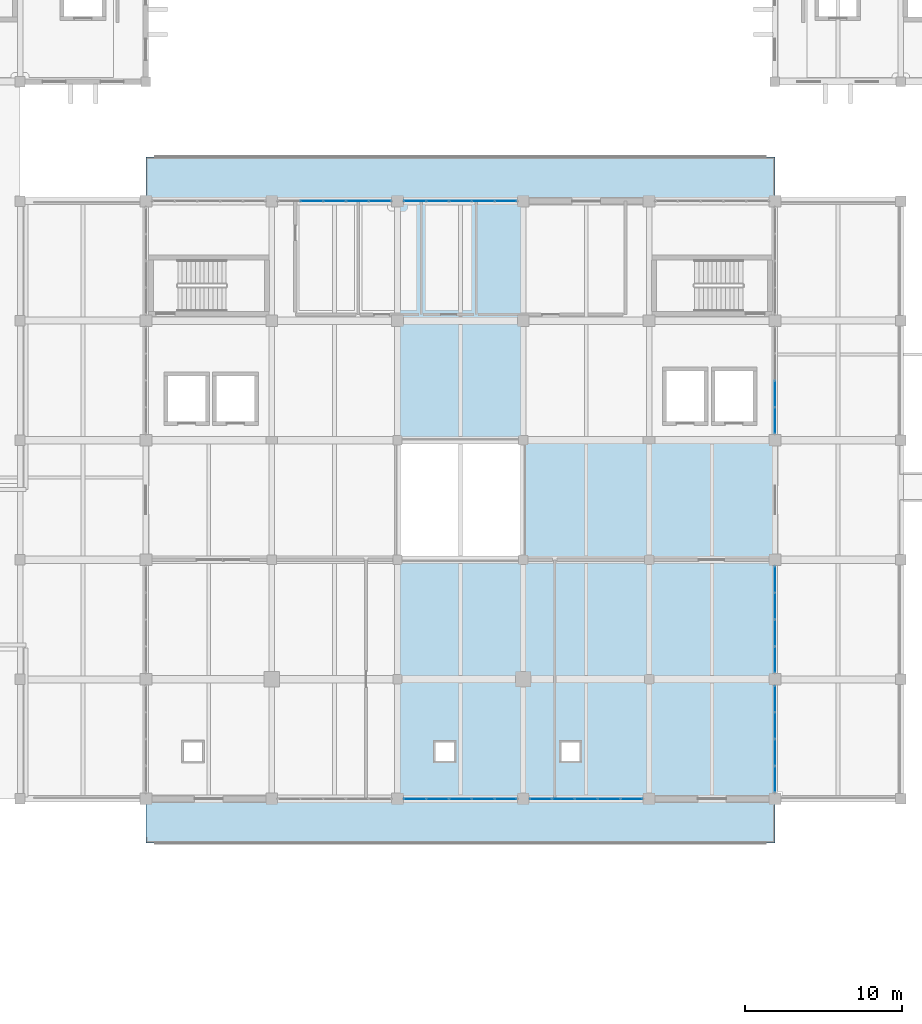
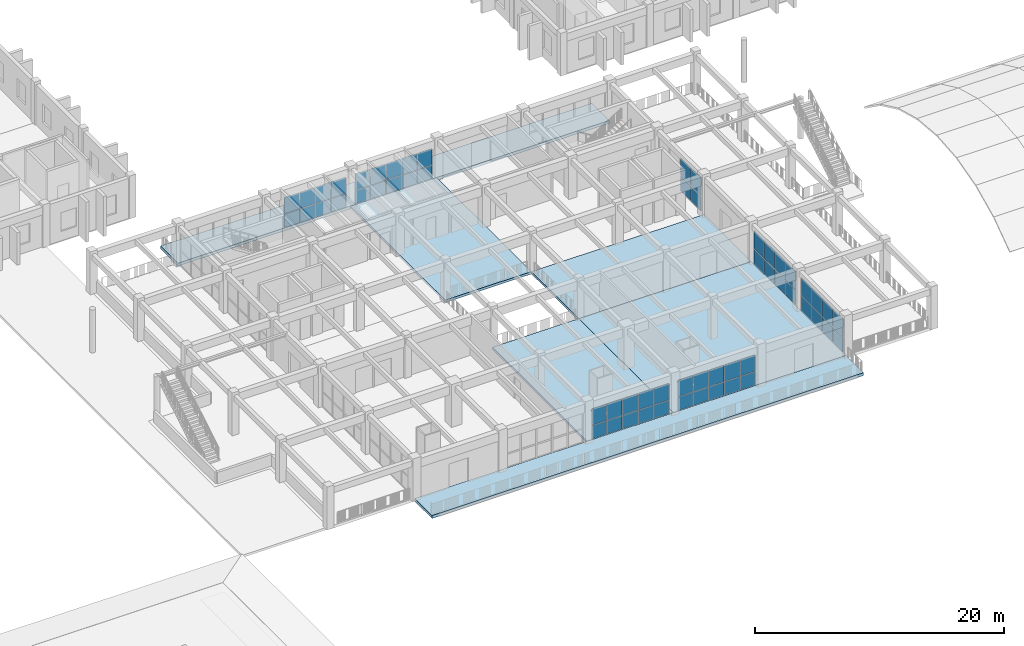
# One storey, part 33 of 63: 58 plates, 6 slabs, 7 elements without a shape of their own.
"""IFC4 building model written with IfcOpenShell, lengths in metres."""

from ifc_helpers import new_model, si_unit, direction, frame, origin, origin_2d, place, context, subcontext, project, spatial, polyline, rectangle, outline, extrude, material, layer, layer_set, type_object, element, aggregate, save


model = new_model("IFC4")

# Units and contexts
model_context = context("Model", 3, precision=1e-05, world=origin(), true_north=direction((0.0, 1.0)))
body_context = subcontext(model_context, "Body", "Model", "MODEL_VIEW")
ifc_project = project(units=[si_unit("LENGTHUNIT", "METRE"), si_unit("AREAUNIT", "SQUARE_METRE"), si_unit("VOLUMEUNIT", "CUBIC_METRE"), si_unit("PLANEANGLEUNIT", "RADIAN"), si_unit("MASSUNIT", "GRAM", prefix="KILO")], contexts=[model_context])

# Site, building, storey
site_placement = place(None, origin())
site = spatial("IfcSite", under=ifc_project, at=site_placement, CompositionType="ELEMENT")
building_placement = place(site_placement, origin())
building = spatial("IfcBuilding", under=site, at=building_placement, Name="Zantavel Square City Hall", CompositionType="ELEMENT")
storey_placement = place(building_placement, frame((0.0, 0.0, 14.699951171875)))
storey = spatial("IfcBuildingStorey", under=building, at=storey_placement, Name="L04", CompositionType="ELEMENT", Elevation=14.699951171875)

# Curtain wall, plates
ifc_material_1 = material(Name="Anodised aluminium 6063-T6", Category="aluminium")
curtain_wall_type_1 = type_object("IfcCurtainWallType", Name="Curtain Wall TRV1 7250x3070", PredefinedType="USERDEFINED", material=ifc_material_1)
curtain_wall_1_placement = place(storey_placement, origin())
curtain_wall_1 = element("IfcCurtainWall", 1, at=curtain_wall_1_placement, inside=storey, type_object=curtain_wall_type_1, Name="L04 Glazed Curtain Wall CW-L04-108", ObjectType="GLAZED CURTAIN WALL", PredefinedType="USERDEFINED")
ifc_material_2 = material(Name="Tempered safety glass low-E double glazing", Category="glass")
ifc_layer_1 = layer(ifc_material_2, 0.028076171875, Name="Tempered safety glass low-E double glazing")
ifc_layer_set_1 = layer_set([ifc_layer_1], Name="Tempered safety glass low-E double glazing")
plate_type_1 = type_object("IfcPlateType", Name="Low-E Curtain Glazing Panel 1450x1535x28", PredefinedType="CURTAIN_PANEL", material=ifc_layer_set_1)
plate_1_placement = place(storey_placement, frame((74.550048828125, 68.39990234375, 0.06005859375), z_axis=(0.0, 0.0, 1.0), x_axis=(1.0, 0.0, 0.0)))
plate_1 = element("IfcPlate", 2, at=plate_1_placement, type_object=plate_type_1, Name="CW-108 panel 2.1", PredefinedType="CURTAIN_PANEL", context=body_context, shape_type="SweptSolid", body=[
    extrude(rectangle(XDim=1.389892578125, YDim=0.028076171875, at=origin_2d()), origin(), (0.0, 0.0, 1.0), 1.291015625),
])
plate_2_placement = place(storey_placement, frame((74.550048828125, 68.39990234375, 1.410888671875), z_axis=(0.0, 0.0, 1.0), x_axis=(1.0, 0.0, 0.0)))
plate_2 = element("IfcPlate", 3, at=plate_2_placement, type_object=plate_type_1, Name="CW-108 panel 2.2", PredefinedType="CURTAIN_PANEL", context=body_context, shape_type="SweptSolid", body=[
    extrude(rectangle(XDim=1.389892578125, YDim=0.028076171875, at=origin_2d()), origin(), (0.0, 0.0, 1.0), 1.59912109375),
])
plate_3_placement = place(storey_placement, frame((76.0, 68.39990234375, 0.06005859375), z_axis=(0.0, 0.0, 1.0), x_axis=(1.0, 0.0, 0.0)))
plate_3 = element("IfcPlate", 4, at=plate_3_placement, type_object=plate_type_1, Name="CW-108 panel 3.1", PredefinedType="CURTAIN_PANEL", context=body_context, shape_type="SweptSolid", body=[
    extrude(rectangle(XDim=1.389892578125, YDim=0.028076171875, at=origin_2d()), origin(), (0.0, 0.0, 1.0), 1.291015625),
])
plate_4_placement = place(storey_placement, frame((76.0, 68.39990234375, 1.410888671875), z_axis=(0.0, 0.0, 1.0), x_axis=(1.0, 0.0, 0.0)))
plate_4 = element("IfcPlate", 5, at=plate_4_placement, type_object=plate_type_1, Name="CW-108 panel 3.2", PredefinedType="CURTAIN_PANEL", context=body_context, shape_type="SweptSolid", body=[
    extrude(rectangle(XDim=1.389892578125, YDim=0.028076171875, at=origin_2d()), origin(), (0.0, 0.0, 1.0), 1.59912109375),
])
plate_5_placement = place(storey_placement, frame((77.449951171875, 68.39990234375, 0.06005859375), z_axis=(0.0, 0.0, 1.0), x_axis=(1.0, 0.0, 0.0)))
plate_5 = element("IfcPlate", 6, at=plate_5_placement, type_object=plate_type_1, Name="CW-108 panel 4.1", PredefinedType="CURTAIN_PANEL", context=body_context, shape_type="SweptSolid", body=[
    extrude(rectangle(XDim=1.389892578125, YDim=0.028076171875, at=origin_2d()), origin(), (0.0, 0.0, 1.0), 1.291015625),
])
plate_6_placement = place(storey_placement, frame((77.449951171875, 68.39990234375, 1.410888671875), z_axis=(0.0, 0.0, 1.0), x_axis=(1.0, 0.0, 0.0)))
plate_6 = element("IfcPlate", 7, at=plate_6_placement, type_object=plate_type_1, Name="CW-108 panel 4.2", PredefinedType="CURTAIN_PANEL", context=body_context, shape_type="SweptSolid", body=[
    extrude(rectangle(XDim=1.389892578125, YDim=0.028076171875, at=origin_2d()), origin(), (0.0, 0.0, 1.0), 1.59912109375),
])
plate_7_placement = place(storey_placement, frame((78.885009765625, 68.39990234375, 0.06005859375), z_axis=(0.0, 0.0, 1.0), x_axis=(1.0, 0.0, 0.0)))
plate_7 = element("IfcPlate", 8, at=plate_7_placement, type_object=plate_type_1, Name="CW-108 panel 5.1", PredefinedType="CURTAIN_PANEL", context=body_context, shape_type="SweptSolid", body=[
    extrude(rectangle(XDim=1.360107421875, YDim=0.028076171875, at=origin_2d()), origin(), (0.0, 0.0, 1.0), 1.291015625),
])
plate_8_placement = place(storey_placement, frame((78.885009765625, 68.39990234375, 1.410888671875), z_axis=(0.0, 0.0, 1.0), x_axis=(1.0, 0.0, 0.0)))
plate_8 = element("IfcPlate", 9, at=plate_8_placement, type_object=plate_type_1, Name="CW-108 panel 5.2", PredefinedType="CURTAIN_PANEL", context=body_context, shape_type="SweptSolid", body=[
    extrude(rectangle(XDim=1.360107421875, YDim=0.028076171875, at=origin_2d()), origin(), (0.0, 0.0, 1.0), 1.59912109375),
])
aggregate(curtain_wall_1, [plate_1, plate_2, plate_3, plate_4, plate_5, plate_6, plate_7, plate_8])

curtain_wall_2_placement = place(storey_placement, origin())
curtain_wall_2 = element("IfcCurtainWall", 10, at=curtain_wall_2_placement, inside=storey, type_object=curtain_wall_type_1, Name="L04 Glazed Curtain Wall CW-L04-109", ObjectType="GLAZED CURTAIN WALL", PredefinedType="USERDEFINED")
plate_9_placement = place(storey_placement, frame((81.114990234375, 68.39990234375, 0.06005859375), z_axis=(0.0, 0.0, 1.0), x_axis=(1.0, 0.0, 0.0)))
plate_9 = element("IfcPlate", 11, at=plate_9_placement, type_object=plate_type_1, Name="CW-109 panel 1.1", PredefinedType="CURTAIN_PANEL", context=body_context, shape_type="SweptSolid", body=[
    extrude(rectangle(XDim=1.360107421875, YDim=0.028076171875, at=origin_2d()), origin(), (0.0, 0.0, 1.0), 1.291015625),
])
plate_10_placement = place(storey_placement, frame((81.114990234375, 68.39990234375, 1.410888671875), z_axis=(0.0, 0.0, 1.0), x_axis=(1.0, 0.0, 0.0)))
plate_10 = element("IfcPlate", 12, at=plate_10_placement, type_object=plate_type_1, Name="CW-109 panel 1.2", PredefinedType="CURTAIN_PANEL", context=body_context, shape_type="SweptSolid", body=[
    extrude(rectangle(XDim=1.360107421875, YDim=0.028076171875, at=origin_2d()), origin(), (0.0, 0.0, 1.0), 1.59912109375),
])
plate_11_placement = place(storey_placement, frame((82.550048828125, 68.39990234375, 0.06005859375), z_axis=(0.0, 0.0, 1.0), x_axis=(1.0, 0.0, 0.0)))
plate_11 = element("IfcPlate", 13, at=plate_11_placement, type_object=plate_type_1, Name="CW-109 panel 2.1", PredefinedType="CURTAIN_PANEL", context=body_context, shape_type="SweptSolid", body=[
    extrude(rectangle(XDim=1.389892578125, YDim=0.028076171875, at=origin_2d()), origin(), (0.0, 0.0, 1.0), 1.291015625),
])
plate_12_placement = place(storey_placement, frame((82.550048828125, 68.39990234375, 1.410888671875), z_axis=(0.0, 0.0, 1.0), x_axis=(1.0, 0.0, 0.0)))
plate_12 = element("IfcPlate", 14, at=plate_12_placement, type_object=plate_type_1, Name="CW-109 panel 2.2", PredefinedType="CURTAIN_PANEL", context=body_context, shape_type="SweptSolid", body=[
    extrude(rectangle(XDim=1.389892578125, YDim=0.028076171875, at=origin_2d()), origin(), (0.0, 0.0, 1.0), 1.59912109375),
])
plate_13_placement = place(storey_placement, frame((84.0, 68.39990234375, 0.06005859375), z_axis=(0.0, 0.0, 1.0), x_axis=(1.0, 0.0, 0.0)))
plate_13 = element("IfcPlate", 15, at=plate_13_placement, type_object=plate_type_1, Name="CW-109 panel 3.1", PredefinedType="CURTAIN_PANEL", context=body_context, shape_type="SweptSolid", body=[
    extrude(rectangle(XDim=1.389892578125, YDim=0.028076171875, at=origin_2d()), origin(), (0.0, 0.0, 1.0), 1.291015625),
])
plate_14_placement = place(storey_placement, frame((84.0, 68.39990234375, 1.410888671875), z_axis=(0.0, 0.0, 1.0), x_axis=(1.0, 0.0, 0.0)))
plate_14 = element("IfcPlate", 16, at=plate_14_placement, type_object=plate_type_1, Name="CW-109 panel 3.2", PredefinedType="CURTAIN_PANEL", context=body_context, shape_type="SweptSolid", body=[
    extrude(rectangle(XDim=1.389892578125, YDim=0.028076171875, at=origin_2d()), origin(), (0.0, 0.0, 1.0), 1.59912109375),
])
plate_15_placement = place(storey_placement, frame((85.449951171875, 68.39990234375, 0.06005859375), z_axis=(0.0, 0.0, 1.0), x_axis=(1.0, 0.0, 0.0)))
plate_15 = element("IfcPlate", 17, at=plate_15_placement, type_object=plate_type_1, Name="CW-109 panel 4.1", PredefinedType="CURTAIN_PANEL", context=body_context, shape_type="SweptSolid", body=[
    extrude(rectangle(XDim=1.389892578125, YDim=0.028076171875, at=origin_2d()), origin(), (0.0, 0.0, 1.0), 1.291015625),
])
plate_16_placement = place(storey_placement, frame((85.449951171875, 68.39990234375, 1.410888671875), z_axis=(0.0, 0.0, 1.0), x_axis=(1.0, 0.0, 0.0)))
plate_16 = element("IfcPlate", 18, at=plate_16_placement, type_object=plate_type_1, Name="CW-109 panel 4.2", PredefinedType="CURTAIN_PANEL", context=body_context, shape_type="SweptSolid", body=[
    extrude(rectangle(XDim=1.389892578125, YDim=0.028076171875, at=origin_2d()), origin(), (0.0, 0.0, 1.0), 1.59912109375),
])
plate_17_placement = place(storey_placement, frame((86.885009765625, 68.39990234375, 0.06005859375), z_axis=(0.0, 0.0, 1.0), x_axis=(1.0, 0.0, 0.0)))
plate_17 = element("IfcPlate", 19, at=plate_17_placement, type_object=plate_type_1, Name="CW-109 panel 5.1", PredefinedType="CURTAIN_PANEL", context=body_context, shape_type="SweptSolid", body=[
    extrude(rectangle(XDim=1.360107421875, YDim=0.028076171875, at=origin_2d()), origin(), (0.0, 0.0, 1.0), 1.291015625),
])
plate_18_placement = place(storey_placement, frame((86.885009765625, 68.39990234375, 1.410888671875), z_axis=(0.0, 0.0, 1.0), x_axis=(1.0, 0.0, 0.0)))
plate_18 = element("IfcPlate", 20, at=plate_18_placement, type_object=plate_type_1, Name="CW-109 panel 5.2", PredefinedType="CURTAIN_PANEL", context=body_context, shape_type="SweptSolid", body=[
    extrude(rectangle(XDim=1.360107421875, YDim=0.028076171875, at=origin_2d()), origin(), (0.0, 0.0, 1.0), 1.59912109375),
])
aggregate(curtain_wall_2, [plate_9, plate_10, plate_11, plate_12, plate_13, plate_14, plate_15, plate_16, plate_17, plate_18])

curtain_wall_3_placement = place(storey_placement, origin())
curtain_wall_3 = element("IfcCurtainWall", 21, at=curtain_wall_3_placement, inside=storey, type_object=curtain_wall_type_1, Name="L04 Glazed Curtain Wall CW-L04-115", ObjectType="GLAZED CURTAIN WALL", PredefinedType="USERDEFINED")
plate_19_placement = place(storey_placement, frame((94.885009765625, 30.39990234375, 0.06005859375), z_axis=(0.0, 0.0, 1.0), x_axis=(-1.0, 0.0, 0.0)))
plate_19 = element("IfcPlate", 22, at=plate_19_placement, type_object=plate_type_1, Name="CW-115 panel 1.1", PredefinedType="CURTAIN_PANEL", context=body_context, shape_type="SweptSolid", body=[
    extrude(rectangle(XDim=1.360107421875, YDim=0.028076171875, at=origin_2d()), origin(), (0.0, 0.0, 1.0), 1.291015625),
])
plate_20_placement = place(storey_placement, frame((94.885009765625, 30.39990234375, 1.410888671875), z_axis=(0.0, 0.0, 1.0), x_axis=(-1.0, 0.0, 0.0)))
plate_20 = element("IfcPlate", 23, at=plate_20_placement, type_object=plate_type_1, Name="CW-115 panel 1.2", PredefinedType="CURTAIN_PANEL", context=body_context, shape_type="SweptSolid", body=[
    extrude(rectangle(XDim=1.360107421875, YDim=0.028076171875, at=origin_2d()), origin(), (0.0, 0.0, 1.0), 1.59912109375),
])
plate_21_placement = place(storey_placement, frame((93.449951171875, 30.39990234375, 0.06005859375), z_axis=(0.0, 0.0, 1.0), x_axis=(-1.0, 0.0, 0.0)))
plate_21 = element("IfcPlate", 24, at=plate_21_placement, type_object=plate_type_1, Name="CW-115 panel 2.1", PredefinedType="CURTAIN_PANEL", context=body_context, shape_type="SweptSolid", body=[
    extrude(rectangle(XDim=1.389892578125, YDim=0.028076171875, at=origin_2d()), origin(), (0.0, 0.0, 1.0), 1.291015625),
])
plate_22_placement = place(storey_placement, frame((93.449951171875, 30.39990234375, 1.410888671875), z_axis=(0.0, 0.0, 1.0), x_axis=(-1.0, 0.0, 0.0)))
plate_22 = element("IfcPlate", 25, at=plate_22_placement, type_object=plate_type_1, Name="CW-115 panel 2.2", PredefinedType="CURTAIN_PANEL", context=body_context, shape_type="SweptSolid", body=[
    extrude(rectangle(XDim=1.389892578125, YDim=0.028076171875, at=origin_2d()), origin(), (0.0, 0.0, 1.0), 1.59912109375),
])
plate_23_placement = place(storey_placement, frame((92.0, 30.39990234375, 0.06005859375), z_axis=(0.0, 0.0, 1.0), x_axis=(-1.0, 0.0, 0.0)))
plate_23 = element("IfcPlate", 26, at=plate_23_placement, type_object=plate_type_1, Name="CW-115 panel 3.1", PredefinedType="CURTAIN_PANEL", context=body_context, shape_type="SweptSolid", body=[
    extrude(rectangle(XDim=1.389892578125, YDim=0.028076171875, at=origin_2d()), origin(), (0.0, 0.0, 1.0), 1.291015625),
])
plate_24_placement = place(storey_placement, frame((92.0, 30.39990234375, 1.410888671875), z_axis=(0.0, 0.0, 1.0), x_axis=(-1.0, 0.0, 0.0)))
plate_24 = element("IfcPlate", 27, at=plate_24_placement, type_object=plate_type_1, Name="CW-115 panel 3.2", PredefinedType="CURTAIN_PANEL", context=body_context, shape_type="SweptSolid", body=[
    extrude(rectangle(XDim=1.389892578125, YDim=0.028076171875, at=origin_2d()), origin(), (0.0, 0.0, 1.0), 1.59912109375),
])
plate_25_placement = place(storey_placement, frame((90.550048828125, 30.39990234375, 0.06005859375), z_axis=(0.0, 0.0, 1.0), x_axis=(-1.0, 0.0, 0.0)))
plate_25 = element("IfcPlate", 28, at=plate_25_placement, type_object=plate_type_1, Name="CW-115 panel 4.1", PredefinedType="CURTAIN_PANEL", context=body_context, shape_type="SweptSolid", body=[
    extrude(rectangle(XDim=1.389892578125, YDim=0.028076171875, at=origin_2d()), origin(), (0.0, 0.0, 1.0), 1.291015625),
])
plate_26_placement = place(storey_placement, frame((90.550048828125, 30.39990234375, 1.410888671875), z_axis=(0.0, 0.0, 1.0), x_axis=(-1.0, 0.0, 0.0)))
plate_26 = element("IfcPlate", 29, at=plate_26_placement, type_object=plate_type_1, Name="CW-115 panel 4.2", PredefinedType="CURTAIN_PANEL", context=body_context, shape_type="SweptSolid", body=[
    extrude(rectangle(XDim=1.389892578125, YDim=0.028076171875, at=origin_2d()), origin(), (0.0, 0.0, 1.0), 1.59912109375),
])
plate_27_placement = place(storey_placement, frame((89.114990234375, 30.39990234375, 0.06005859375), z_axis=(0.0, 0.0, 1.0), x_axis=(-1.0, 0.0, 0.0)))
plate_27 = element("IfcPlate", 30, at=plate_27_placement, type_object=plate_type_1, Name="CW-115 panel 5.1", PredefinedType="CURTAIN_PANEL", context=body_context, shape_type="SweptSolid", body=[
    extrude(rectangle(XDim=1.360107421875, YDim=0.028076171875, at=origin_2d()), origin(), (0.0, 0.0, 1.0), 1.291015625),
])
plate_28_placement = place(storey_placement, frame((89.114990234375, 30.39990234375, 1.410888671875), z_axis=(0.0, 0.0, 1.0), x_axis=(-1.0, 0.0, 0.0)))
plate_28 = element("IfcPlate", 31, at=plate_28_placement, type_object=plate_type_1, Name="CW-115 panel 5.2", PredefinedType="CURTAIN_PANEL", context=body_context, shape_type="SweptSolid", body=[
    extrude(rectangle(XDim=1.360107421875, YDim=0.028076171875, at=origin_2d()), origin(), (0.0, 0.0, 1.0), 1.59912109375),
])
aggregate(curtain_wall_3, [plate_19, plate_20, plate_21, plate_22, plate_23, plate_24, plate_25, plate_26, plate_27, plate_28])

curtain_wall_4_placement = place(storey_placement, origin())
curtain_wall_4 = element("IfcCurtainWall", 32, at=curtain_wall_4_placement, inside=storey, type_object=curtain_wall_type_1, Name="L04 Glazed Curtain Wall CW-L04-116", ObjectType="GLAZED CURTAIN WALL", PredefinedType="USERDEFINED")
plate_29_placement = place(storey_placement, frame((86.885009765625, 30.39990234375, 0.06005859375), z_axis=(0.0, 0.0, 1.0), x_axis=(-1.0, 0.0, 0.0)))
plate_29 = element("IfcPlate", 33, at=plate_29_placement, type_object=plate_type_1, Name="CW-116 panel 1.1", PredefinedType="CURTAIN_PANEL", context=body_context, shape_type="SweptSolid", body=[
    extrude(rectangle(XDim=1.360107421875, YDim=0.028076171875, at=origin_2d()), origin(), (0.0, 0.0, 1.0), 1.291015625),
])
plate_30_placement = place(storey_placement, frame((86.885009765625, 30.39990234375, 1.410888671875), z_axis=(0.0, 0.0, 1.0), x_axis=(-1.0, 0.0, 0.0)))
plate_30 = element("IfcPlate", 34, at=plate_30_placement, type_object=plate_type_1, Name="CW-116 panel 1.2", PredefinedType="CURTAIN_PANEL", context=body_context, shape_type="SweptSolid", body=[
    extrude(rectangle(XDim=1.360107421875, YDim=0.028076171875, at=origin_2d()), origin(), (0.0, 0.0, 1.0), 1.59912109375),
])
plate_31_placement = place(storey_placement, frame((85.449951171875, 30.39990234375, 0.06005859375), z_axis=(0.0, 0.0, 1.0), x_axis=(-1.0, 0.0, 0.0)))
plate_31 = element("IfcPlate", 35, at=plate_31_placement, type_object=plate_type_1, Name="CW-116 panel 2.1", PredefinedType="CURTAIN_PANEL", context=body_context, shape_type="SweptSolid", body=[
    extrude(rectangle(XDim=1.389892578125, YDim=0.028076171875, at=origin_2d()), origin(), (0.0, 0.0, 1.0), 1.291015625),
])
plate_32_placement = place(storey_placement, frame((85.449951171875, 30.39990234375, 1.410888671875), z_axis=(0.0, 0.0, 1.0), x_axis=(-1.0, 0.0, 0.0)))
plate_32 = element("IfcPlate", 36, at=plate_32_placement, type_object=plate_type_1, Name="CW-116 panel 2.2", PredefinedType="CURTAIN_PANEL", context=body_context, shape_type="SweptSolid", body=[
    extrude(rectangle(XDim=1.389892578125, YDim=0.028076171875, at=origin_2d()), origin(), (0.0, 0.0, 1.0), 1.59912109375),
])
plate_33_placement = place(storey_placement, frame((84.0, 30.39990234375, 0.06005859375), z_axis=(0.0, 0.0, 1.0), x_axis=(-1.0, 0.0, 0.0)))
plate_33 = element("IfcPlate", 37, at=plate_33_placement, type_object=plate_type_1, Name="CW-116 panel 3.1", PredefinedType="CURTAIN_PANEL", context=body_context, shape_type="SweptSolid", body=[
    extrude(rectangle(XDim=1.389892578125, YDim=0.028076171875, at=origin_2d()), origin(), (0.0, 0.0, 1.0), 1.291015625),
])
plate_34_placement = place(storey_placement, frame((84.0, 30.39990234375, 1.410888671875), z_axis=(0.0, 0.0, 1.0), x_axis=(-1.0, 0.0, 0.0)))
plate_34 = element("IfcPlate", 38, at=plate_34_placement, type_object=plate_type_1, Name="CW-116 panel 3.2", PredefinedType="CURTAIN_PANEL", context=body_context, shape_type="SweptSolid", body=[
    extrude(rectangle(XDim=1.389892578125, YDim=0.028076171875, at=origin_2d()), origin(), (0.0, 0.0, 1.0), 1.59912109375),
])
plate_35_placement = place(storey_placement, frame((82.550048828125, 30.39990234375, 0.06005859375), z_axis=(0.0, 0.0, 1.0), x_axis=(-1.0, 0.0, 0.0)))
plate_35 = element("IfcPlate", 39, at=plate_35_placement, type_object=plate_type_1, Name="CW-116 panel 4.1", PredefinedType="CURTAIN_PANEL", context=body_context, shape_type="SweptSolid", body=[
    extrude(rectangle(XDim=1.389892578125, YDim=0.028076171875, at=origin_2d()), origin(), (0.0, 0.0, 1.0), 1.291015625),
])
plate_36_placement = place(storey_placement, frame((82.550048828125, 30.39990234375, 1.410888671875), z_axis=(0.0, 0.0, 1.0), x_axis=(-1.0, 0.0, 0.0)))
plate_36 = element("IfcPlate", 40, at=plate_36_placement, type_object=plate_type_1, Name="CW-116 panel 4.2", PredefinedType="CURTAIN_PANEL", context=body_context, shape_type="SweptSolid", body=[
    extrude(rectangle(XDim=1.389892578125, YDim=0.028076171875, at=origin_2d()), origin(), (0.0, 0.0, 1.0), 1.59912109375),
])
plate_37_placement = place(storey_placement, frame((81.114990234375, 30.39990234375, 0.06005859375), z_axis=(0.0, 0.0, 1.0), x_axis=(-1.0, 0.0, 0.0)))
plate_37 = element("IfcPlate", 41, at=plate_37_placement, type_object=plate_type_1, Name="CW-116 panel 5.1", PredefinedType="CURTAIN_PANEL", context=body_context, shape_type="SweptSolid", body=[
    extrude(rectangle(XDim=1.360107421875, YDim=0.028076171875, at=origin_2d()), origin(), (0.0, 0.0, 1.0), 1.291015625),
])
plate_38_placement = place(storey_placement, frame((81.114990234375, 30.39990234375, 1.410888671875), z_axis=(0.0, 0.0, 1.0), x_axis=(-1.0, 0.0, 0.0)))
plate_38 = element("IfcPlate", 42, at=plate_38_placement, type_object=plate_type_1, Name="CW-116 panel 5.2", PredefinedType="CURTAIN_PANEL", context=body_context, shape_type="SweptSolid", body=[
    extrude(rectangle(XDim=1.360107421875, YDim=0.028076171875, at=origin_2d()), origin(), (0.0, 0.0, 1.0), 1.59912109375),
])
aggregate(curtain_wall_4, [plate_29, plate_30, plate_31, plate_32, plate_33, plate_34, plate_35, plate_36, plate_37, plate_38])

curtain_wall_type_2 = type_object("IfcCurtainWallType", Name="Curtain Wall TRV1 6850x3370", PredefinedType="USERDEFINED", material=ifc_material_1)
curtain_wall_5_placement = place(storey_placement, origin())
curtain_wall_5 = element("IfcCurtainWall", 43, at=curtain_wall_5_placement, inside=storey, type_object=curtain_wall_type_2, Name="L04 Glazed Curtain Wall CW-L04-112", ObjectType="GLAZED CURTAIN WALL", PredefinedType="USERDEFINED")
ifc_layer_2 = layer(ifc_material_2, 0.028076171875, Name="Tempered safety glass low-E double glazing")
ifc_layer_set_2 = layer_set([ifc_layer_2], Name="Tempered safety glass low-E double glazing")
plate_type_2 = type_object("IfcPlateType", Name="Low-E Curtain Glazing Panel 1712x1685x28", PredefinedType="CURTAIN_PANEL", material=ifc_layer_set_2)
plate_39_placement = place(storey_placement, frame((104.0, 56.143798828125, 0.06005859375), z_axis=(0.0, 0.0, 1.0), x_axis=(0.0, -1.0, 0.0)))
plate_39 = element("IfcPlate", 44, at=plate_39_placement, type_object=plate_type_2, Name="CW-112 panel 3.1", PredefinedType="CURTAIN_PANEL", context=body_context, shape_type="SweptSolid", body=[
    extrude(rectangle(XDim=1.652587890625, YDim=0.028076171875, at=origin_2d()), origin(), (0.0, 0.0, 1.0), 1.427001953125),
])
plate_40_placement = place(storey_placement, frame((104.0, 56.143798828125, 1.546875), z_axis=(0.0, 0.0, 1.0), x_axis=(0.0, -1.0, 0.0)))
plate_40 = element("IfcPlate", 45, at=plate_40_placement, type_object=plate_type_2, Name="CW-112 panel 3.2", PredefinedType="CURTAIN_PANEL", context=body_context, shape_type="SweptSolid", body=[
    extrude(rectangle(XDim=1.652587890625, YDim=0.028076171875, at=origin_2d()), origin(), (0.0, 0.0, 1.0), 1.762939453125),
])
plate_41_placement = place(storey_placement, frame((104.0, 54.4462890625, 0.06005859375), z_axis=(0.0, 0.0, 1.0), x_axis=(0.0, -1.0, 0.0)))
plate_41 = element("IfcPlate", 46, at=plate_41_placement, type_object=plate_type_2, Name="CW-112 panel 4.1", PredefinedType="CURTAIN_PANEL", context=body_context, shape_type="SweptSolid", body=[
    extrude(rectangle(XDim=1.62255859375, YDim=0.028076171875, at=origin_2d()), origin(), (0.0, 0.0, 1.0), 1.427001953125),
])
plate_42_placement = place(storey_placement, frame((104.0, 54.4462890625, 1.546875), z_axis=(0.0, 0.0, 1.0), x_axis=(0.0, -1.0, 0.0)))
plate_42 = element("IfcPlate", 47, at=plate_42_placement, type_object=plate_type_2, Name="CW-112 panel 4.2", PredefinedType="CURTAIN_PANEL", context=body_context, shape_type="SweptSolid", body=[
    extrude(rectangle(XDim=1.62255859375, YDim=0.028076171875, at=origin_2d()), origin(), (0.0, 0.0, 1.0), 1.762939453125),
])
aggregate(curtain_wall_5, [plate_39, plate_40, plate_41, plate_42])

curtain_wall_6_placement = place(storey_placement, origin())
curtain_wall_6 = element("IfcCurtainWall", 48, at=curtain_wall_6_placement, inside=storey, type_object=curtain_wall_type_2, Name="L04 Glazed Curtain Wall CW-L04-113", ObjectType="GLAZED CURTAIN WALL", PredefinedType="USERDEFINED")
ifc_layer_3 = layer(ifc_material_2, 0.028076171875, Name="Tempered safety glass low-E double glazing")
ifc_layer_set_3 = layer_set([ifc_layer_3], Name="Tempered safety glass low-E double glazing")
plate_type_3 = type_object("IfcPlateType", Name="Low-E Curtain Glazing Panel 1713x1685x28", PredefinedType="CURTAIN_PANEL", material=ifc_layer_set_3)
plate_43_placement = place(storey_placement, frame((104.0, 44.353759765625, 0.06005859375), z_axis=(0.0, 0.0, 1.0), x_axis=(0.0, -1.0, 0.0)))
plate_43 = element("IfcPlate", 49, at=plate_43_placement, type_object=plate_type_3, Name="CW-113 panel 1.1", PredefinedType="CURTAIN_PANEL", context=body_context, shape_type="SweptSolid", body=[
    extrude(rectangle(XDim=1.62255859375, YDim=0.028076171875, at=origin_2d()), origin(), (0.0, 0.0, 1.0), 1.427001953125),
])
plate_44_placement = place(storey_placement, frame((104.0, 44.353759765625, 1.546875), z_axis=(0.0, 0.0, 1.0), x_axis=(0.0, -1.0, 0.0)))
plate_44 = element("IfcPlate", 50, at=plate_44_placement, type_object=plate_type_3, Name="CW-113 panel 1.2", PredefinedType="CURTAIN_PANEL", context=body_context, shape_type="SweptSolid", body=[
    extrude(rectangle(XDim=1.62255859375, YDim=0.028076171875, at=origin_2d()), origin(), (0.0, 0.0, 1.0), 1.762939453125),
])
plate_45_placement = place(storey_placement, frame((104.0, 42.65625, 0.06005859375), z_axis=(0.0, 0.0, 1.0), x_axis=(0.0, -1.0, 0.0)))
plate_45 = element("IfcPlate", 51, at=plate_45_placement, type_object=plate_type_3, Name="CW-113 panel 2.1", PredefinedType="CURTAIN_PANEL", context=body_context, shape_type="SweptSolid", body=[
    extrude(rectangle(XDim=1.652587890625, YDim=0.028076171875, at=origin_2d()), origin(), (0.0, 0.0, 1.0), 1.427001953125),
])
plate_46_placement = place(storey_placement, frame((104.0, 42.65625, 1.546875), z_axis=(0.0, 0.0, 1.0), x_axis=(0.0, -1.0, 0.0)))
plate_46 = element("IfcPlate", 52, at=plate_46_placement, type_object=plate_type_3, Name="CW-113 panel 2.2", PredefinedType="CURTAIN_PANEL", context=body_context, shape_type="SweptSolid", body=[
    extrude(rectangle(XDim=1.652587890625, YDim=0.028076171875, at=origin_2d()), origin(), (0.0, 0.0, 1.0), 1.762939453125),
])
plate_47_placement = place(storey_placement, frame((104.0, 40.94384765625, 0.06005859375), z_axis=(0.0, 0.0, 1.0), x_axis=(0.0, -1.0, 0.0)))
plate_47 = element("IfcPlate", 53, at=plate_47_placement, type_object=plate_type_3, Name="CW-113 panel 3.1", PredefinedType="CURTAIN_PANEL", context=body_context, shape_type="SweptSolid", body=[
    extrude(rectangle(XDim=1.652587890625, YDim=0.028076171875, at=origin_2d()), origin(), (0.0, 0.0, 1.0), 1.427001953125),
])
plate_48_placement = place(storey_placement, frame((104.0, 40.94384765625, 1.546875), z_axis=(0.0, 0.0, 1.0), x_axis=(0.0, -1.0, 0.0)))
plate_48 = element("IfcPlate", 54, at=plate_48_placement, type_object=plate_type_3, Name="CW-113 panel 3.2", PredefinedType="CURTAIN_PANEL", context=body_context, shape_type="SweptSolid", body=[
    extrude(rectangle(XDim=1.652587890625, YDim=0.028076171875, at=origin_2d()), origin(), (0.0, 0.0, 1.0), 1.762939453125),
])
plate_49_placement = place(storey_placement, frame((104.0, 39.246337890625, 0.06005859375), z_axis=(0.0, 0.0, 1.0), x_axis=(0.0, -1.0, 0.0)))
plate_49 = element("IfcPlate", 55, at=plate_49_placement, type_object=plate_type_3, Name="CW-113 panel 4.1", PredefinedType="CURTAIN_PANEL", context=body_context, shape_type="SweptSolid", body=[
    extrude(rectangle(XDim=1.62255859375, YDim=0.028076171875, at=origin_2d()), origin(), (0.0, 0.0, 1.0), 1.427001953125),
])
plate_50_placement = place(storey_placement, frame((104.0, 39.246337890625, 1.546875), z_axis=(0.0, 0.0, 1.0), x_axis=(0.0, -1.0, 0.0)))
plate_50 = element("IfcPlate", 56, at=plate_50_placement, type_object=plate_type_3, Name="CW-113 panel 4.2", PredefinedType="CURTAIN_PANEL", context=body_context, shape_type="SweptSolid", body=[
    extrude(rectangle(XDim=1.62255859375, YDim=0.028076171875, at=origin_2d()), origin(), (0.0, 0.0, 1.0), 1.762939453125),
])
aggregate(curtain_wall_6, [plate_43, plate_44, plate_45, plate_46, plate_47, plate_48, plate_49, plate_50])

curtain_wall_7_placement = place(storey_placement, origin())
curtain_wall_7 = element("IfcCurtainWall", 57, at=curtain_wall_7_placement, inside=storey, type_object=curtain_wall_type_2, Name="L04 Glazed Curtain Wall CW-L04-114", ObjectType="GLAZED CURTAIN WALL", PredefinedType="USERDEFINED")
plate_51_placement = place(storey_placement, frame((104.0, 36.753662109375, 0.06005859375), z_axis=(0.0, 0.0, 1.0), x_axis=(0.0, -1.0, 0.0)))
plate_51 = element("IfcPlate", 58, at=plate_51_placement, type_object=plate_type_3, Name="CW-114 panel 1.1", PredefinedType="CURTAIN_PANEL", context=body_context, shape_type="SweptSolid", body=[
    extrude(rectangle(XDim=1.62255859375, YDim=0.028076171875, at=origin_2d()), origin(), (0.0, 0.0, 1.0), 1.427001953125),
])
plate_52_placement = place(storey_placement, frame((104.0, 36.753662109375, 1.546875), z_axis=(0.0, 0.0, 1.0), x_axis=(0.0, -1.0, 0.0)))
plate_52 = element("IfcPlate", 59, at=plate_52_placement, type_object=plate_type_3, Name="CW-114 panel 1.2", PredefinedType="CURTAIN_PANEL", context=body_context, shape_type="SweptSolid", body=[
    extrude(rectangle(XDim=1.62255859375, YDim=0.028076171875, at=origin_2d()), origin(), (0.0, 0.0, 1.0), 1.762939453125),
])
plate_53_placement = place(storey_placement, frame((104.0, 35.05615234375, 0.06005859375), z_axis=(0.0, 0.0, 1.0), x_axis=(0.0, -1.0, 0.0)))
plate_53 = element("IfcPlate", 60, at=plate_53_placement, type_object=plate_type_3, Name="CW-114 panel 2.1", PredefinedType="CURTAIN_PANEL", context=body_context, shape_type="SweptSolid", body=[
    extrude(rectangle(XDim=1.652587890625, YDim=0.028076171875, at=origin_2d()), origin(), (0.0, 0.0, 1.0), 1.427001953125),
])
plate_54_placement = place(storey_placement, frame((104.0, 35.05615234375, 1.546875), z_axis=(0.0, 0.0, 1.0), x_axis=(0.0, -1.0, 0.0)))
plate_54 = element("IfcPlate", 61, at=plate_54_placement, type_object=plate_type_3, Name="CW-114 panel 2.2", PredefinedType="CURTAIN_PANEL", context=body_context, shape_type="SweptSolid", body=[
    extrude(rectangle(XDim=1.652587890625, YDim=0.028076171875, at=origin_2d()), origin(), (0.0, 0.0, 1.0), 1.762939453125),
])
plate_55_placement = place(storey_placement, frame((104.0, 33.34375, 0.06005859375), z_axis=(0.0, 0.0, 1.0), x_axis=(0.0, -1.0, 0.0)))
plate_55 = element("IfcPlate", 62, at=plate_55_placement, type_object=plate_type_3, Name="CW-114 panel 3.1", PredefinedType="CURTAIN_PANEL", context=body_context, shape_type="SweptSolid", body=[
    extrude(rectangle(XDim=1.652587890625, YDim=0.028076171875, at=origin_2d()), origin(), (0.0, 0.0, 1.0), 1.427001953125),
])
plate_56_placement = place(storey_placement, frame((104.0, 33.34375, 1.546875), z_axis=(0.0, 0.0, 1.0), x_axis=(0.0, -1.0, 0.0)))
plate_56 = element("IfcPlate", 63, at=plate_56_placement, type_object=plate_type_3, Name="CW-114 panel 3.2", PredefinedType="CURTAIN_PANEL", context=body_context, shape_type="SweptSolid", body=[
    extrude(rectangle(XDim=1.652587890625, YDim=0.028076171875, at=origin_2d()), origin(), (0.0, 0.0, 1.0), 1.762939453125),
])
plate_57_placement = place(storey_placement, frame((104.0, 31.646240234375, 0.06005859375), z_axis=(0.0, 0.0, 1.0), x_axis=(0.0, -1.0, 0.0)))
plate_57 = element("IfcPlate", 64, at=plate_57_placement, type_object=plate_type_3, Name="CW-114 panel 4.1", PredefinedType="CURTAIN_PANEL", context=body_context, shape_type="SweptSolid", body=[
    extrude(rectangle(XDim=1.62255859375, YDim=0.028076171875, at=origin_2d()), origin(), (0.0, 0.0, 1.0), 1.427001953125),
])
plate_58_placement = place(storey_placement, frame((104.0, 31.646240234375, 1.546875), z_axis=(0.0, 0.0, 1.0), x_axis=(0.0, -1.0, 0.0)))
plate_58 = element("IfcPlate", 65, at=plate_58_placement, type_object=plate_type_3, Name="CW-114 panel 4.2", PredefinedType="CURTAIN_PANEL", context=body_context, shape_type="SweptSolid", body=[
    extrude(rectangle(XDim=1.62255859375, YDim=0.028076171875, at=origin_2d()), origin(), (0.0, 0.0, 1.0), 1.762939453125),
])
aggregate(curtain_wall_7, [plate_51, plate_52, plate_53, plate_54, plate_55, plate_56, plate_57, plate_58])

# Slabs
ifc_material_3 = material(Name="Concrete C35/45", Category="concrete")
ifc_layer_4 = layer(ifc_material_3, 0.239990234375, Name="Concrete C35/45")
ifc_layer_set_4 = layer_set([ifc_layer_4], Name="Concrete C35/45")
slab_type_1 = type_object("IfcSlabType", Name="Standard Office Floor Slab 240mm C35/45", PredefinedType="FLOOR", material=ifc_layer_set_4)
slab_1_placement = place(storey_placement, frame((0.0, 0.0, -0.239990234375)))
element("IfcSlab", 66, at=slab_1_placement, inside=storey, type_object=slab_type_1, Name="L04 Floor Slab SLB-L04-V1-02", PredefinedType="FLOOR", context=body_context, shape_type="SweptSolid", body=[
    extrude(outline(polyline([(88.0, 30.39990234375), (80.0, 30.39990234375), (80.0, 45.60009765625), (88.0, 45.60009765625), (88.0, 30.39990234375)]), holes=[polyline([(83.60009765625, 34.0), (82.39990234375, 34.0), (82.39990234375, 32.800048828125), (83.60009765625, 32.800048828125), (83.60009765625, 34.0)])]), origin(), (0.0, 0.0, 1.0), 0.239990234375),
])
slab_2_placement = place(storey_placement, frame((0.0, 0.0, -0.239990234375)))
element("IfcSlab", 67, at=slab_2_placement, inside=storey, type_object=slab_type_1, Name="L04 Floor Slab SLB-L04-V1-03", PredefinedType="FLOOR", context=body_context, shape_type="SweptSolid", body=[
    extrude(outline(polyline([(104.0, 30.39990234375), (88.0, 30.39990234375), (88.0, 45.60009765625), (104.0, 45.60009765625), (104.0, 30.39990234375)]), holes=[polyline([(91.60009765625, 34.0), (90.39990234375, 34.0), (90.39990234375, 32.800048828125), (91.60009765625, 32.800048828125), (91.60009765625, 34.0)])]), origin(), (0.0, 0.0, 1.0), 0.239990234375),
])
slab_3_placement = place(storey_placement, frame((0.0, 0.0, -0.239990234375)))
element("IfcSlab", 68, at=slab_3_placement, inside=storey, type_object=slab_type_1, Name="L04 Floor Slab SLB-L04-V1-06", PredefinedType="FLOOR", context=body_context, shape_type="SweptSolid", body=[
    extrude(outline(polyline([(104.0, 53.199951171875), (104.0, 45.60009765625), (88.0, 45.60009765625), (88.0, 45.60009765625), (88.0, 53.199951171875), (104.0, 53.199951171875)])), origin(), (0.0, 0.0, 1.0), 0.239990234375),
])
slab_4_placement = place(storey_placement, frame((0.0, 0.0, -0.239990234375)))
element("IfcSlab", 69, at=slab_4_placement, inside=storey, type_object=slab_type_1, Name="L04 Floor Slab SLB-L04-V1-08", PredefinedType="FLOOR", context=body_context, shape_type="SweptSolid", body=[
    extrude(outline(polyline([(88.0, 53.199951171875), (80.0, 53.199951171875), (80.0, 68.39990234375), (88.0, 68.39990234375), (88.0, 53.199951171875)])), origin(), (0.0, 0.0, 1.0), 0.239990234375),
])
ifc_material_4 = material(Name="Precast concrete C40/50", Category="concrete")
ifc_layer_5 = layer(ifc_material_4, 0.280029296875, Name="Precast concrete C40/50")
ifc_layer_set_5 = layer_set([ifc_layer_5], Name="Precast concrete C40/50")
slab_type_2 = type_object("IfcSlabType", Name="White Cantera Tray Slab 280mm C40/50", PredefinedType="FLOOR", material=ifc_layer_set_5)
slab_5_placement = place(storey_placement, frame((0.0, 0.0, -0.280029296875)))
element("IfcSlab", 70, at=slab_5_placement, inside=storey, type_object=slab_type_2, Name="L04 Outdoor Terrace Slab SLB-L04-TRAY2-S", PredefinedType="FLOOR", context=body_context, shape_type="SweptSolid", body=[
    extrude(outline(polyline([(104.0, 27.60009765625), (64.0, 27.60009765625), (64.0, 30.39990234375), (80.0, 30.39990234375), (88.0, 30.39990234375), (104.0, 30.39990234375), (104.0, 27.60009765625)])), origin(), (0.0, 0.0, 1.0), 0.280029296875),
])
slab_6_placement = place(storey_placement, frame((0.0, 0.0, -0.280029296875)))
element("IfcSlab", 71, at=slab_6_placement, inside=storey, type_object=slab_type_2, Name="L04 Outdoor Terrace Slab SLB-L04-TRAY2-N", PredefinedType="FLOOR", context=body_context, shape_type="SweptSolid", body=[
    extrude(outline(polyline([(64.0, 71.199951171875), (104.0, 71.199951171875), (104.0, 68.39990234375), (88.0, 68.39990234375), (80.0, 68.39990234375), (64.0, 68.39990234375), (64.0, 71.199951171875)])), origin(), (0.0, 0.0, 1.0), 0.280029296875),
])

save(model, "model.ifc")
